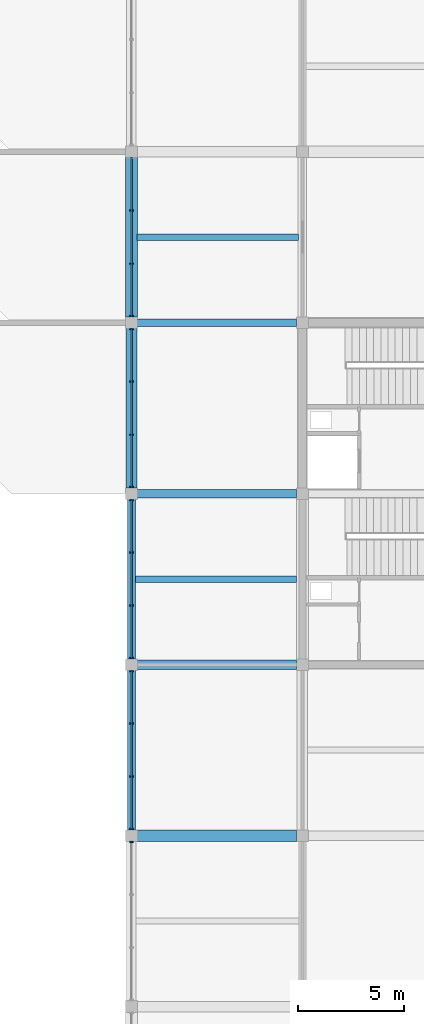
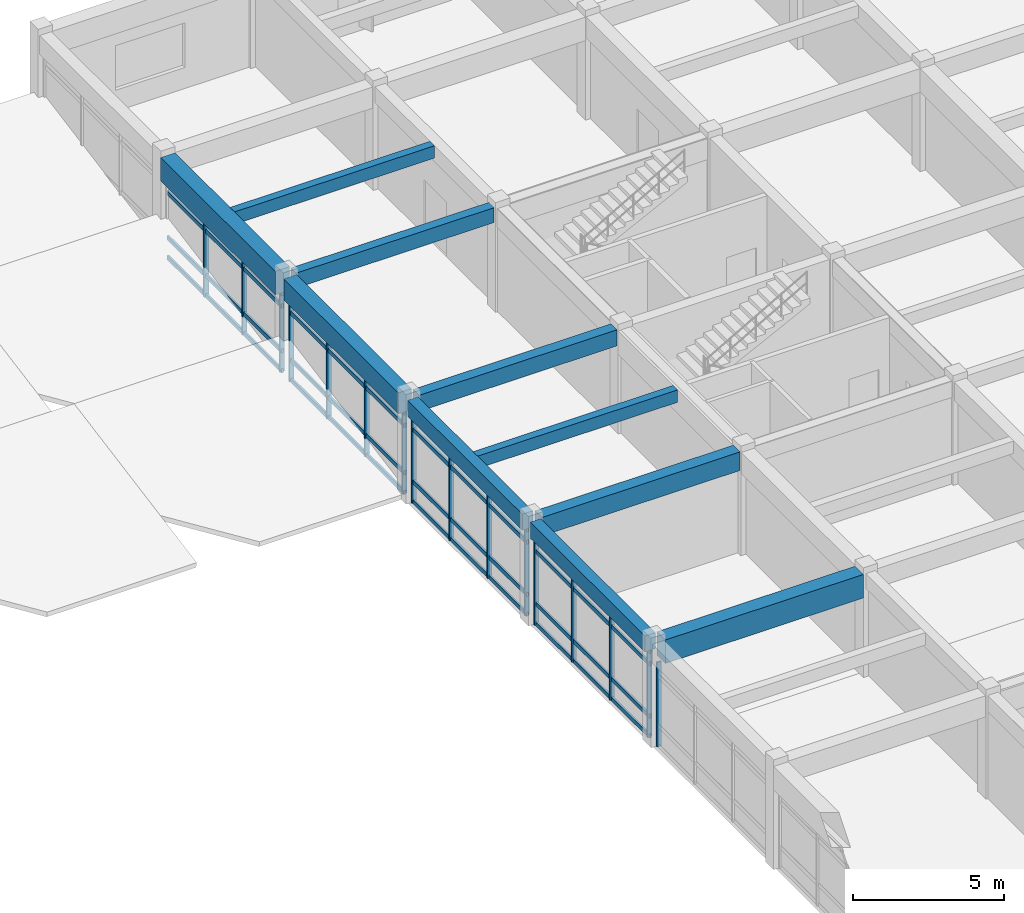
# One storey, part 16 of 33: 32 members, 10 beams, 5 elements without a shape of their own.
"""IFC4 building model written with IfcOpenShell, lengths in metres."""

from ifc_helpers import new_model, si_unit, direction, frame, origin, origin_2d, place, context, subcontext, project, spatial, rectangle, extrude, material, layer, layer_set, material_profile, profile_set, type_object, element, aggregate, save


model = new_model("IFC4")

# Units and contexts
model_context = context("Model", 3, precision=1e-05, world=origin(), true_north=direction((0.0, 1.0)))
body_context = subcontext(model_context, "Body", "Model", "MODEL_VIEW")
ifc_project = project(units=[si_unit("LENGTHUNIT", "METRE"), si_unit("AREAUNIT", "SQUARE_METRE"), si_unit("VOLUMEUNIT", "CUBIC_METRE"), si_unit("PLANEANGLEUNIT", "RADIAN"), si_unit("MASSUNIT", "GRAM", prefix="KILO")], contexts=[model_context])

# Site, building, storey
site_placement = place(None, origin())
site = spatial("IfcSite", under=ifc_project, at=site_placement, CompositionType="ELEMENT")
building_placement = place(site_placement, origin())
building = spatial("IfcBuilding", under=site, at=building_placement, Name="Vaudrelin Polytechnic", CompositionType="ELEMENT")
storey_placement = place(building_placement, frame((0.0, 0.0, 27.3701171875)))
storey = spatial("IfcBuildingStorey", under=building, at=storey_placement, Name="L06", CompositionType="ELEMENT", Elevation=27.3701171875)

# Beams
ifc_material_1 = material(Name="Concrete 40 MPa", Category="concrete")
ifc_material_profile_1 = material_profile(ifc_material_1, rectangle(XDim=0.35009765625, YDim=0.60009765625, at=origin_2d()), Name="RC350x600")
ifc_profile_set_1 = profile_set([ifc_material_profile_1], Name="Concrete 40 MPa")
beam_type_1 = type_object("IfcBeamType", Name="BM-BM-RC3560", PredefinedType="BEAM", material=ifc_profile_set_1)
beam_1_placement = place(storey_placement, frame((137.970947265625, 105.300048828125, 3.85986328125), z_axis=(1.0, 0.0, 0.0), x_axis=(0.0, 1.0, 0.0)))
element("IfcBeam", 1, at=beam_1_placement, inside=storey, type_object=beam_type_1, Name="L06 X-beam 18-14", PredefinedType="BEAM", context=body_context, shape_type="SweptSolid", body=[
    extrude(rectangle(XDim=0.35009765625, YDim=0.60009765625, at=origin_2d()), origin(), (0.0, 0.0, 1.0), 7.55810546875),
])
ifc_material_profile_2 = material_profile(ifc_material_1, rectangle(XDim=0.39990234375, YDim=0.64990234375, at=origin_2d()), Name="RC400x650")
ifc_profile_set_2 = profile_set([ifc_material_profile_2], Name="Concrete 40 MPa")
beam_type_2 = type_object("IfcBeamType", Name="BM-BM-RC4065", PredefinedType="BEAM", material=ifc_profile_set_2)
beam_2_placement = place(storey_placement, frame((137.699951171875, 81.260009765625, 3.8349609375), z_axis=(0.0, 1.0, 0.0), x_axis=(-1.0, 0.0, 0.0)))
element("IfcBeam", 2, at=beam_2_placement, inside=storey, type_object=beam_type_2, Name="L06 Y-beam 18-11", PredefinedType="BEAM", context=body_context, shape_type="SweptSolid", body=[
    extrude(rectangle(XDim=0.39990234375, YDim=0.64990234375, at=origin_2d()), origin(), (0.0, 0.0, 1.0), 7.580078125),
])
beam_3_placement = place(storey_placement, frame((137.970947265625, 97.199951171875, 3.8349609375), z_axis=(1.0, 0.0, 0.0), x_axis=(0.0, 1.0, 0.0)))
element("IfcBeam", 3, at=beam_3_placement, inside=storey, type_object=beam_type_2, Name="L06 X-beam 18-13", PredefinedType="BEAM", context=body_context, shape_type="SweptSolid", body=[
    extrude(rectangle(XDim=0.39990234375, YDim=0.64990234375, at=origin_2d()), origin(), (0.0, 0.0, 1.0), 7.55810546875),
])
ifc_material_profile_3 = material_profile(ifc_material_1, rectangle(XDim=0.449951171875, YDim=0.75, at=origin_2d()), Name="RC450x750")
ifc_profile_set_3 = profile_set([ifc_material_profile_3], Name="Concrete 40 MPa")
beam_type_3 = type_object("IfcBeamType", Name="BM-BM-RC4575", PredefinedType="BEAM", material=ifc_profile_set_3)
beam_4_placement = place(storey_placement, frame((137.970947265625, 89.10009765625, 3.784912109375), z_axis=(1.0, 0.0, 0.0), x_axis=(0.0, 1.0, 0.0)))
element("IfcBeam", 4, at=beam_4_placement, inside=storey, type_object=beam_type_3, Name="L06 X-beam 18-12", PredefinedType="BEAM", context=body_context, shape_type="SweptSolid", body=[
    extrude(rectangle(XDim=0.449951171875, YDim=0.75, at=origin_2d()), origin(), (0.0, 0.0, 1.0), 7.55810546875),
])
ifc_material_profile_4 = material_profile(ifc_material_1, rectangle(XDim=0.5, YDim=0.85009765625, at=origin_2d()), Name="RC500x850")
ifc_profile_set_4 = profile_set([ifc_material_profile_4], Name="Concrete 40 MPa")
beam_type_4 = type_object("IfcBeamType", Name="BM-BM-RC5085", PredefinedType="BEAM", material=ifc_profile_set_4)
beam_5_placement = place(storey_placement, frame((137.699951171875, 97.4599609375, 3.73486328125), z_axis=(0.0, 1.0, 0.0), x_axis=(-1.0, 0.0, 0.0)))
element("IfcBeam", 5, at=beam_5_placement, inside=storey, type_object=beam_type_4, Name="L06 Y-beam 18-13", PredefinedType="BEAM", context=body_context, shape_type="SweptSolid", body=[
    extrude(rectangle(XDim=0.5, YDim=0.85009765625, at=origin_2d()), origin(), (0.0, 0.0, 1.0), 7.580078125),
])
ifc_material_2 = material(Name="Concrete 50 MPa", Category="concrete")
ifc_material_profile_5 = material_profile(ifc_material_2, rectangle(XDim=0.550048828125, YDim=0.949951171875, at=origin_2d()), Name="RC550x950")
ifc_profile_set_5 = profile_set([ifc_material_profile_5], Name="Concrete 50 MPa")
beam_type_5 = type_object("IfcBeamType", Name="BM-BM-RC5595", PredefinedType="BEAM", material=ifc_profile_set_5)
beam_6_placement = place(storey_placement, frame((137.699951171875, 105.56005859375, 3.684814453125), z_axis=(0.0, 1.0, 0.0), x_axis=(-1.0, 0.0, 0.0)))
element("IfcBeam", 6, at=beam_6_placement, inside=storey, type_object=beam_type_5, Name="L06 Y-beam 18-14", PredefinedType="BEAM", context=body_context, shape_type="SweptSolid", body=[
    extrude(rectangle(XDim=0.550048828125, YDim=0.949951171875, at=origin_2d()), origin(), (0.0, 0.0, 1.0), 7.579833984375),
])
beam_7_placement = place(storey_placement, frame((137.970947265625, 81.0, 3.684814453125), z_axis=(1.0, 0.0, 0.0), x_axis=(0.0, 1.0, 0.0)))
element("IfcBeam", 7, at=beam_7_placement, inside=storey, type_object=beam_type_5, Name="L06 X-beam 18-11", PredefinedType="BEAM", context=body_context, shape_type="SweptSolid", body=[
    extrude(rectangle(XDim=0.550048828125, YDim=0.949951171875, at=origin_2d()), origin(), (0.0, 0.0, 1.0), 7.55810546875),
])
ifc_material_profile_6 = material_profile(ifc_material_1, rectangle(XDim=0.300048828125, YDim=0.5, at=origin_2d()), Name="RC300x500")
ifc_profile_set_6 = profile_set([ifc_material_profile_6], Name="Concrete 40 MPa")
beam_type_6 = type_object("IfcBeamType", Name="BM-JS-RC3050", PredefinedType="JOIST", material=ifc_profile_set_6)
for number, where, z_axis, x_axis, name in (
    (8, (137.89599609375, 93.14990234375, 3.909912109375), (1.0, 0.0, 0.0), (0.0, 1.0, 0.0), "L06 floor joist 18-12"),
    (9, (137.970947265625, 109.35009765625, 3.909912109375), (1.0, 0.0, 0.0), (0.0, 1.0, 0.0), "L06 floor joist 18-14"),
):
    element("IfcBeam", number, at=place(storey_placement, frame(where, z_axis=z_axis, x_axis=x_axis)), inside=storey, type_object=beam_type_6, Name=name, PredefinedType="JOIST", context=body_context, shape_type="SweptSolid", body=[
        extrude(rectangle(XDim=0.300048828125, YDim=0.5, at=origin_2d()), origin(), (0.0, 0.0, 1.0), 7.633056640625),
    ])
ifc_material_profile_7 = material_profile(ifc_material_1, rectangle(XDim=0.39990234375, YDim=0.64990234375, at=origin_2d()), Name="RC400x650")
ifc_profile_set_7 = profile_set([ifc_material_profile_7], Name="Concrete 40 MPa")
beam_type_7 = type_object("IfcBeamType", Name="BM-SP-RC4065", PredefinedType="SPANDREL", material=ifc_profile_set_7)
beam_8_placement = place(storey_placement, frame((137.699951171875, 89.360107421875, 3.8349609375), z_axis=(0.0, 1.0, 0.0), x_axis=(-1.0, 0.0, 0.0)))
element("IfcBeam", 10, at=beam_8_placement, inside=storey, type_object=beam_type_7, Name="L06 Y-beam 18-12", PredefinedType="SPANDREL", context=body_context, shape_type="SweptSolid", body=[
    extrude(rectangle(XDim=0.39990234375, YDim=0.64990234375, at=origin_2d()), origin(), (0.0, 0.0, 1.0), 7.579833984375),
])

# Curtain wall, member
ifc_material_3 = material(Name="Thermally broken anodised aluminium AA 6063-T6 and low-e triple glazing", Category="aluminium")
ifc_layer = layer(ifc_material_3, 0.199951171875)
ifc_layer_set = layer_set([ifc_layer], Name="Thermally broken anodised aluminium AA 6063-T6 and low-e triple glazing")
curtain_wall_type = type_object("IfcCurtainWallType", Name="CW-CW-LAB", PredefinedType="USERDEFINED", material=ifc_layer_set)
curtain_wall_1_placement = place(storey_placement, origin())
curtain_wall_1 = element("IfcCurtainWall", 11, at=curtain_wall_1_placement, inside=storey, type_object=curtain_wall_type, Name="Curtain wall L06 W_V4_05", ObjectType="CURTAIN WALL", PredefinedType="USERDEFINED")
ifc_material_4 = material(Name="Anodised aluminium AA 6063-T6", Category="aluminium")
ifc_material_profile_8 = material_profile(ifc_material_4, rectangle(XDim=0.06494140625, YDim=0.179931640625, at=origin_2d()), Name="CWM-65x180")
ifc_profile_set_8 = profile_set([ifc_material_profile_8], Name="Anodised aluminium AA 6063-T6")
member_type_1 = type_object("IfcMemberType", Name="MEM-CWM-180", PredefinedType="MULLION", material=ifc_profile_set_8)
member_1_placement = place(storey_placement, frame((137.699951171875, 80.68701171875, 0.0), z_axis=(0.0, 0.0, 1.0), x_axis=(0.0, 1.0, 0.0)))
member_1 = element("IfcMember", 12, at=member_1_placement, type_object=member_type_1, Name="W_V4_05 mullion 4", PredefinedType="MULLION", context=body_context, shape_type="SweptSolid", body=[
    extrude(rectangle(XDim=0.06494140625, YDim=0.179931640625, at=origin_2d()), origin(), (0.0, 0.0, 1.0), 3.411865234375),
])
aggregate(curtain_wall_1, [member_1])

# Curtain wall, members
curtain_wall_2_placement = place(storey_placement, origin())
curtain_wall_2 = element("IfcCurtainWall", 13, at=curtain_wall_2_placement, inside=storey, type_object=curtain_wall_type, Name="Curtain wall L06 W_V4_06", ObjectType="CURTAIN WALL", PredefinedType="USERDEFINED")
member_2_placement = place(storey_placement, frame((137.699951171875, 81.31298828125, 0.0), z_axis=(0.0, 0.0, 1.0), x_axis=(0.0, 1.0, 0.0)))
member_2 = element("IfcMember", 14, at=member_2_placement, type_object=member_type_1, Name="W_V4_06 mullion 1", PredefinedType="MULLION", context=body_context, shape_type="SweptSolid", body=[
    extrude(rectangle(XDim=0.06494140625, YDim=0.179931640625, at=origin_2d()), origin(), (0.0, 0.0, 1.0), 3.511962890625),
])
member_3_placement = place(storey_placement, frame((137.699951171875, 83.791015625, 0.0), z_axis=(0.0, 0.0, 1.0), x_axis=(0.0, 1.0, 0.0)))
member_3 = element("IfcMember", 15, at=member_3_placement, type_object=member_type_1, Name="W_V4_06 mullion 2", PredefinedType="MULLION", context=body_context, shape_type="SweptSolid", body=[
    extrude(rectangle(XDim=0.06494140625, YDim=0.179931640625, at=origin_2d()), origin(), (0.0, 0.0, 1.0), 3.511962890625),
])
member_4_placement = place(storey_placement, frame((137.699951171875, 86.30908203125, 0.0), z_axis=(0.0, 0.0, 1.0), x_axis=(0.0, 1.0, 0.0)))
member_4 = element("IfcMember", 16, at=member_4_placement, type_object=member_type_1, Name="W_V4_06 mullion 3", PredefinedType="MULLION", context=body_context, shape_type="SweptSolid", body=[
    extrude(rectangle(XDim=0.06494140625, YDim=0.179931640625, at=origin_2d()), origin(), (0.0, 0.0, 1.0), 3.511962890625),
])
member_5_placement = place(storey_placement, frame((137.699951171875, 88.787109375, 0.0), z_axis=(0.0, 0.0, 1.0), x_axis=(0.0, 1.0, 0.0)))
member_5 = element("IfcMember", 17, at=member_5_placement, type_object=member_type_1, Name="W_V4_06 mullion 4", PredefinedType="MULLION", context=body_context, shape_type="SweptSolid", body=[
    extrude(rectangle(XDim=0.06494140625, YDim=0.179931640625, at=origin_2d()), origin(), (0.0, 0.0, 1.0), 3.511962890625),
])

curtain_wall_3_placement = place(storey_placement, origin())
curtain_wall_3 = element("IfcCurtainWall", 18, at=curtain_wall_3_placement, inside=storey, type_object=curtain_wall_type, Name="Curtain wall L06 W_V4_07", ObjectType="CURTAIN WALL", PredefinedType="USERDEFINED")
member_6_placement = place(storey_placement, frame((137.699951171875, 89.4130859375, 0.0), z_axis=(0.0, 0.0, 1.0), x_axis=(0.0, 1.0, 0.0)))
member_6 = element("IfcMember", 19, at=member_6_placement, type_object=member_type_1, Name="W_V4_07 mullion 1", PredefinedType="MULLION", context=body_context, shape_type="SweptSolid", body=[
    extrude(rectangle(XDim=0.06494140625, YDim=0.179931640625, at=origin_2d()), origin(), (0.0, 0.0, 1.0), 3.511962890625),
])
member_7_placement = place(storey_placement, frame((137.699951171875, 91.89111328125, 0.0), z_axis=(0.0, 0.0, 1.0), x_axis=(0.0, 1.0, 0.0)))
member_7 = element("IfcMember", 20, at=member_7_placement, type_object=member_type_1, Name="W_V4_07 mullion 2", PredefinedType="MULLION", context=body_context, shape_type="SweptSolid", body=[
    extrude(rectangle(XDim=0.06494140625, YDim=0.179931640625, at=origin_2d()), origin(), (0.0, 0.0, 1.0), 3.511962890625),
])
member_8_placement = place(storey_placement, frame((137.699951171875, 94.408935546875, 0.0), z_axis=(0.0, 0.0, 1.0), x_axis=(0.0, 1.0, 0.0)))
member_8 = element("IfcMember", 21, at=member_8_placement, type_object=member_type_1, Name="W_V4_07 mullion 3", PredefinedType="MULLION", context=body_context, shape_type="SweptSolid", body=[
    extrude(rectangle(XDim=0.06494140625, YDim=0.179931640625, at=origin_2d()), origin(), (0.0, 0.0, 1.0), 3.511962890625),
])
member_9_placement = place(storey_placement, frame((137.699951171875, 96.886962890625, 0.0), z_axis=(0.0, 0.0, 1.0), x_axis=(0.0, 1.0, 0.0)))
member_9 = element("IfcMember", 22, at=member_9_placement, type_object=member_type_1, Name="W_V4_07 mullion 4", PredefinedType="MULLION", context=body_context, shape_type="SweptSolid", body=[
    extrude(rectangle(XDim=0.06494140625, YDim=0.179931640625, at=origin_2d()), origin(), (0.0, 0.0, 1.0), 3.511962890625),
])

curtain_wall_4_placement = place(storey_placement, origin())
curtain_wall_4 = element("IfcCurtainWall", 23, at=curtain_wall_4_placement, inside=storey, type_object=curtain_wall_type, Name="Curtain wall L06 W_V4_08", ObjectType="CURTAIN WALL", PredefinedType="USERDEFINED")
member_10_placement = place(storey_placement, frame((137.699951171875, 97.512939453125, 0.0), z_axis=(0.0, 0.0, 1.0), x_axis=(0.0, 1.0, 0.0)))
member_10 = element("IfcMember", 24, at=member_10_placement, type_object=member_type_1, Name="W_V4_08 mullion 1", PredefinedType="MULLION", context=body_context, shape_type="SweptSolid", body=[
    extrude(rectangle(XDim=0.06494140625, YDim=0.179931640625, at=origin_2d()), origin(), (0.0, 0.0, 1.0), 3.311767578125),
])
member_11_placement = place(storey_placement, frame((137.699951171875, 99.990966796875, 0.0), z_axis=(0.0, 0.0, 1.0), x_axis=(0.0, 1.0, 0.0)))
member_11 = element("IfcMember", 25, at=member_11_placement, type_object=member_type_1, Name="W_V4_08 mullion 2", PredefinedType="MULLION", context=body_context, shape_type="SweptSolid", body=[
    extrude(rectangle(XDim=0.06494140625, YDim=0.179931640625, at=origin_2d()), origin(), (0.0, 0.0, 1.0), 3.311767578125),
])
member_12_placement = place(storey_placement, frame((137.699951171875, 102.509033203125, 0.0), z_axis=(0.0, 0.0, 1.0), x_axis=(0.0, 1.0, 0.0)))
member_12 = element("IfcMember", 26, at=member_12_placement, type_object=member_type_1, Name="W_V4_08 mullion 3", PredefinedType="MULLION", context=body_context, shape_type="SweptSolid", body=[
    extrude(rectangle(XDim=0.06494140625, YDim=0.179931640625, at=origin_2d()), origin(), (0.0, 0.0, 1.0), 3.311767578125),
])
member_13_placement = place(storey_placement, frame((137.699951171875, 104.987060546875, 0.0), z_axis=(0.0, 0.0, 1.0), x_axis=(0.0, 1.0, 0.0)))
member_13 = element("IfcMember", 27, at=member_13_placement, type_object=member_type_1, Name="W_V4_08 mullion 4", PredefinedType="MULLION", context=body_context, shape_type="SweptSolid", body=[
    extrude(rectangle(XDim=0.06494140625, YDim=0.179931640625, at=origin_2d()), origin(), (0.0, 0.0, 1.0), 3.311767578125),
])

curtain_wall_5_placement = place(storey_placement, origin())
curtain_wall_5 = element("IfcCurtainWall", 28, at=curtain_wall_5_placement, inside=storey, type_object=curtain_wall_type, Name="Curtain wall L06 W_V4_09", ObjectType="CURTAIN WALL", PredefinedType="USERDEFINED")
member_14_placement = place(storey_placement, frame((137.699951171875, 105.613037109375, 0.0), z_axis=(0.0, 0.0, 1.0), x_axis=(0.0, 1.0, 0.0)))
member_14 = element("IfcMember", 29, at=member_14_placement, type_object=member_type_1, Name="W_V4_09 mullion 1", PredefinedType="MULLION", context=body_context, shape_type="SweptSolid", body=[
    extrude(rectangle(XDim=0.06494140625, YDim=0.179931640625, at=origin_2d()), origin(), (0.0, 0.0, 1.0), 3.2119140625),
])
member_15_placement = place(storey_placement, frame((137.699951171875, 108.091064453125, 0.0), z_axis=(0.0, 0.0, 1.0), x_axis=(0.0, 1.0, 0.0)))
member_15 = element("IfcMember", 30, at=member_15_placement, type_object=member_type_1, Name="W_V4_09 mullion 2", PredefinedType="MULLION", context=body_context, shape_type="SweptSolid", body=[
    extrude(rectangle(XDim=0.06494140625, YDim=0.179931640625, at=origin_2d()), origin(), (0.0, 0.0, 1.0), 3.2119140625),
])
member_16_placement = place(storey_placement, frame((137.699951171875, 110.60888671875, 0.0), z_axis=(0.0, 0.0, 1.0), x_axis=(0.0, 1.0, 0.0)))
member_16 = element("IfcMember", 31, at=member_16_placement, type_object=member_type_1, Name="W_V4_09 mullion 3", PredefinedType="MULLION", context=body_context, shape_type="SweptSolid", body=[
    extrude(rectangle(XDim=0.06494140625, YDim=0.179931640625, at=origin_2d()), origin(), (0.0, 0.0, 1.0), 3.2119140625),
])

# Member
ifc_material_profile_9 = material_profile(ifc_material_4, rectangle(XDim=0.074951171875, YDim=0.1650390625, at=origin_2d()), Name="CWT-75x165")
ifc_profile_set_9 = profile_set([ifc_material_profile_9], Name="Anodised aluminium AA 6063-T6")
member_type_2 = type_object("IfcMemberType", Name="MEM-CWT-165", PredefinedType="USERDEFINED", material=ifc_profile_set_9)
member_17_placement = place(storey_placement, frame((137.699951171875, 81.27294921875, 0.0498046875), z_axis=(0.0, 1.0, 0.0), x_axis=(-1.0, 0.0, 0.0)))
member_17 = element("IfcMember", 32, at=member_17_placement, type_object=member_type_2, Name="W_V4_06 transom 1", ObjectType="TRANSOM", PredefinedType="USERDEFINED", context=body_context, shape_type="SweptSolid", body=[
    extrude(rectangle(XDim=0.074951171875, YDim=0.1650390625, at=origin_2d()), origin(), (0.0, 0.0, 1.0), 7.553955078125),
])

member_18_placement = place(storey_placement, frame((137.699951171875, 81.27294921875, 0.849853515625), z_axis=(0.0, 1.0, 0.0), x_axis=(-1.0, 0.0, 0.0)))
member_18 = element("IfcMember", 33, at=member_18_placement, type_object=member_type_2, Name="W_V4_06 transom 2", ObjectType="TRANSOM", PredefinedType="USERDEFINED", context=body_context, shape_type="SweptSolid", body=[
    extrude(rectangle(XDim=0.074951171875, YDim=0.1650390625, at=origin_2d()), origin(), (0.0, 0.0, 1.0), 7.553955078125),
])

member_19_placement = place(storey_placement, frame((137.699951171875, 81.27294921875, 2.9619140625), z_axis=(0.0, 1.0, 0.0), x_axis=(-1.0, 0.0, 0.0)))
member_19 = element("IfcMember", 34, at=member_19_placement, type_object=member_type_2, Name="W_V4_06 transom 3", ObjectType="TRANSOM", PredefinedType="USERDEFINED", context=body_context, shape_type="SweptSolid", body=[
    extrude(rectangle(XDim=0.074951171875, YDim=0.1650390625, at=origin_2d()), origin(), (0.0, 0.0, 1.0), 7.553955078125),
])

member_20_placement = place(storey_placement, frame((137.699951171875, 81.27294921875, 3.4619140625), z_axis=(0.0, 1.0, 0.0), x_axis=(-1.0, 0.0, 0.0)))
member_20 = element("IfcMember", 35, at=member_20_placement, type_object=member_type_2, Name="W_V4_06 transom 4", ObjectType="TRANSOM", PredefinedType="USERDEFINED", context=body_context, shape_type="SweptSolid", body=[
    extrude(rectangle(XDim=0.074951171875, YDim=0.1650390625, at=origin_2d()), origin(), (0.0, 0.0, 1.0), 7.553955078125),
])

aggregate(curtain_wall_2, [member_2, member_3, member_4, member_5, member_17, member_18, member_19, member_20])

member_21_placement = place(storey_placement, frame((137.699951171875, 89.373046875, 0.0498046875), z_axis=(0.0, 1.0, 0.0), x_axis=(-1.0, 0.0, 0.0)))
member_21 = element("IfcMember", 36, at=member_21_placement, type_object=member_type_2, Name="W_V4_07 transom 1", ObjectType="TRANSOM", PredefinedType="USERDEFINED", context=body_context, shape_type="SweptSolid", body=[
    extrude(rectangle(XDim=0.074951171875, YDim=0.1650390625, at=origin_2d()), origin(), (0.0, 0.0, 1.0), 7.553955078125),
])

member_22_placement = place(storey_placement, frame((137.699951171875, 89.373046875, 0.849853515625), z_axis=(0.0, 1.0, 0.0), x_axis=(-1.0, 0.0, 0.0)))
member_22 = element("IfcMember", 37, at=member_22_placement, type_object=member_type_2, Name="W_V4_07 transom 2", ObjectType="TRANSOM", PredefinedType="USERDEFINED", context=body_context, shape_type="SweptSolid", body=[
    extrude(rectangle(XDim=0.074951171875, YDim=0.1650390625, at=origin_2d()), origin(), (0.0, 0.0, 1.0), 7.553955078125),
])

member_23_placement = place(storey_placement, frame((137.699951171875, 89.373046875, 2.9619140625), z_axis=(0.0, 1.0, 0.0), x_axis=(-1.0, 0.0, 0.0)))
member_23 = element("IfcMember", 38, at=member_23_placement, type_object=member_type_2, Name="W_V4_07 transom 3", ObjectType="TRANSOM", PredefinedType="USERDEFINED", context=body_context, shape_type="SweptSolid", body=[
    extrude(rectangle(XDim=0.074951171875, YDim=0.1650390625, at=origin_2d()), origin(), (0.0, 0.0, 1.0), 7.553955078125),
])

member_24_placement = place(storey_placement, frame((137.699951171875, 89.373046875, 3.4619140625), z_axis=(0.0, 1.0, 0.0), x_axis=(-1.0, 0.0, 0.0)))
member_24 = element("IfcMember", 39, at=member_24_placement, type_object=member_type_2, Name="W_V4_07 transom 4", ObjectType="TRANSOM", PredefinedType="USERDEFINED", context=body_context, shape_type="SweptSolid", body=[
    extrude(rectangle(XDim=0.074951171875, YDim=0.1650390625, at=origin_2d()), origin(), (0.0, 0.0, 1.0), 7.553955078125),
])

aggregate(curtain_wall_3, [member_6, member_7, member_8, member_9, member_21, member_22, member_23, member_24])

member_25_placement = place(storey_placement, frame((137.699951171875, 97.472900390625, 0.0498046875), z_axis=(0.0, 1.0, 0.0), x_axis=(-1.0, 0.0, 0.0)))
member_25 = element("IfcMember", 40, at=member_25_placement, type_object=member_type_2, Name="W_V4_08 transom 1", ObjectType="TRANSOM", PredefinedType="USERDEFINED", context=body_context, shape_type="SweptSolid", body=[
    extrude(rectangle(XDim=0.074951171875, YDim=0.1650390625, at=origin_2d()), origin(), (0.0, 0.0, 1.0), 7.55419921875),
])

member_26_placement = place(storey_placement, frame((137.699951171875, 97.472900390625, 0.849853515625), z_axis=(0.0, 1.0, 0.0), x_axis=(-1.0, 0.0, 0.0)))
member_26 = element("IfcMember", 41, at=member_26_placement, type_object=member_type_2, Name="W_V4_08 transom 2", ObjectType="TRANSOM", PredefinedType="USERDEFINED", context=body_context, shape_type="SweptSolid", body=[
    extrude(rectangle(XDim=0.074951171875, YDim=0.1650390625, at=origin_2d()), origin(), (0.0, 0.0, 1.0), 7.55419921875),
])

member_27_placement = place(storey_placement, frame((137.699951171875, 97.472900390625, 2.761962890625), z_axis=(0.0, 1.0, 0.0), x_axis=(-1.0, 0.0, 0.0)))
member_27 = element("IfcMember", 42, at=member_27_placement, type_object=member_type_2, Name="W_V4_08 transom 3", ObjectType="TRANSOM", PredefinedType="USERDEFINED", context=body_context, shape_type="SweptSolid", body=[
    extrude(rectangle(XDim=0.074951171875, YDim=0.1650390625, at=origin_2d()), origin(), (0.0, 0.0, 1.0), 7.55419921875),
])

member_28_placement = place(storey_placement, frame((137.699951171875, 97.472900390625, 3.261962890625), z_axis=(0.0, 1.0, 0.0), x_axis=(-1.0, 0.0, 0.0)))
member_28 = element("IfcMember", 43, at=member_28_placement, type_object=member_type_2, Name="W_V4_08 transom 4", ObjectType="TRANSOM", PredefinedType="USERDEFINED", context=body_context, shape_type="SweptSolid", body=[
    extrude(rectangle(XDim=0.074951171875, YDim=0.1650390625, at=origin_2d()), origin(), (0.0, 0.0, 1.0), 7.55419921875),
])

aggregate(curtain_wall_4, [member_10, member_11, member_12, member_13, member_25, member_26, member_27, member_28])

member_29_placement = place(storey_placement, frame((137.699951171875, 105.572998046875, 0.0498046875), z_axis=(0.0, 1.0, 0.0), x_axis=(-1.0, 0.0, 0.0)))
member_29 = element("IfcMember", 44, at=member_29_placement, type_object=member_type_2, Name="W_V4_09 transom 1", ObjectType="TRANSOM", PredefinedType="USERDEFINED", context=body_context, shape_type="SweptSolid", body=[
    extrude(rectangle(XDim=0.074951171875, YDim=0.1650390625, at=origin_2d()), origin(), (0.0, 0.0, 1.0), 7.553955078125),
])

member_30_placement = place(storey_placement, frame((137.699951171875, 105.572998046875, 0.849853515625), z_axis=(0.0, 1.0, 0.0), x_axis=(-1.0, 0.0, 0.0)))
member_30 = element("IfcMember", 45, at=member_30_placement, type_object=member_type_2, Name="W_V4_09 transom 2", ObjectType="TRANSOM", PredefinedType="USERDEFINED", context=body_context, shape_type="SweptSolid", body=[
    extrude(rectangle(XDim=0.074951171875, YDim=0.1650390625, at=origin_2d()), origin(), (0.0, 0.0, 1.0), 7.553955078125),
])

member_31_placement = place(storey_placement, frame((137.699951171875, 105.572998046875, 2.661865234375), z_axis=(0.0, 1.0, 0.0), x_axis=(-1.0, 0.0, 0.0)))
member_31 = element("IfcMember", 46, at=member_31_placement, type_object=member_type_2, Name="W_V4_09 transom 3", ObjectType="TRANSOM", PredefinedType="USERDEFINED", context=body_context, shape_type="SweptSolid", body=[
    extrude(rectangle(XDim=0.074951171875, YDim=0.1650390625, at=origin_2d()), origin(), (0.0, 0.0, 1.0), 7.553955078125),
])

member_32_placement = place(storey_placement, frame((137.699951171875, 105.572998046875, 3.161865234375), z_axis=(0.0, 1.0, 0.0), x_axis=(-1.0, 0.0, 0.0)))
member_32 = element("IfcMember", 47, at=member_32_placement, type_object=member_type_2, Name="W_V4_09 transom 4", ObjectType="TRANSOM", PredefinedType="USERDEFINED", context=body_context, shape_type="SweptSolid", body=[
    extrude(rectangle(XDim=0.074951171875, YDim=0.1650390625, at=origin_2d()), origin(), (0.0, 0.0, 1.0), 7.553955078125),
])

aggregate(curtain_wall_5, [member_14, member_15, member_16, member_29, member_30, member_31, member_32])

save(model, "model.ifc")
